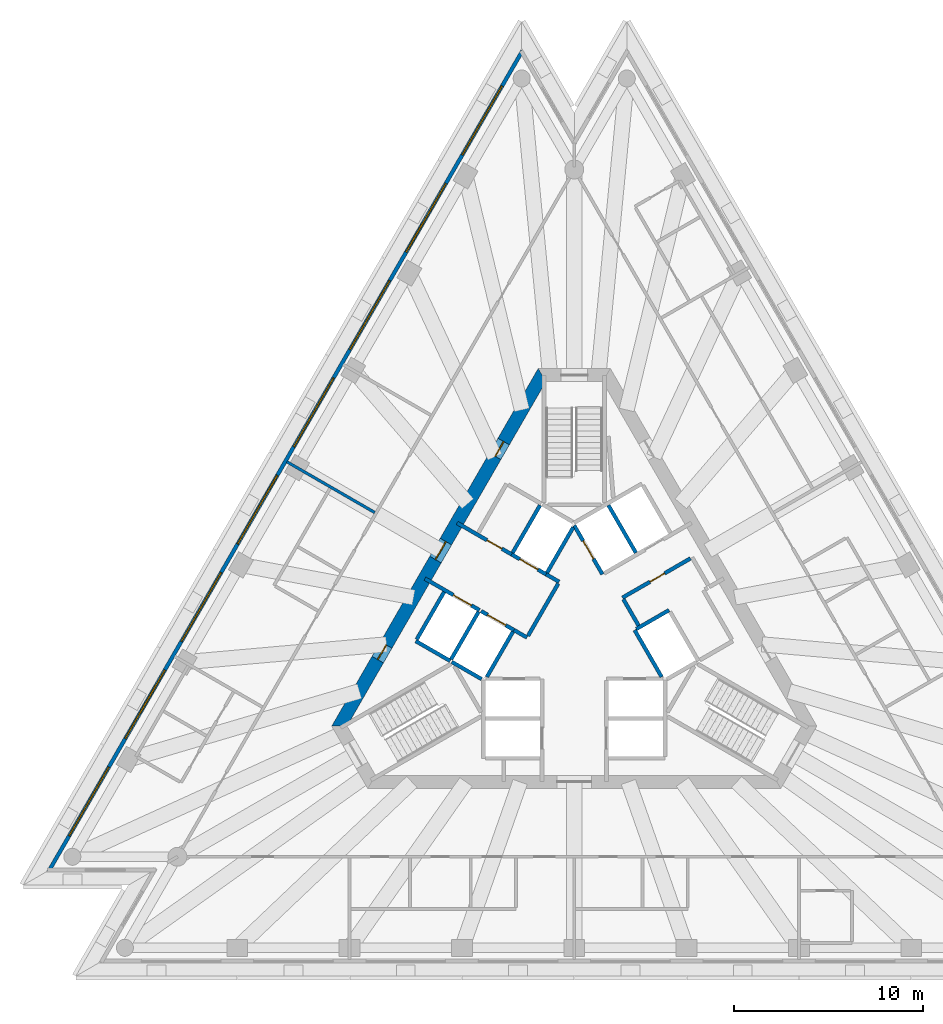
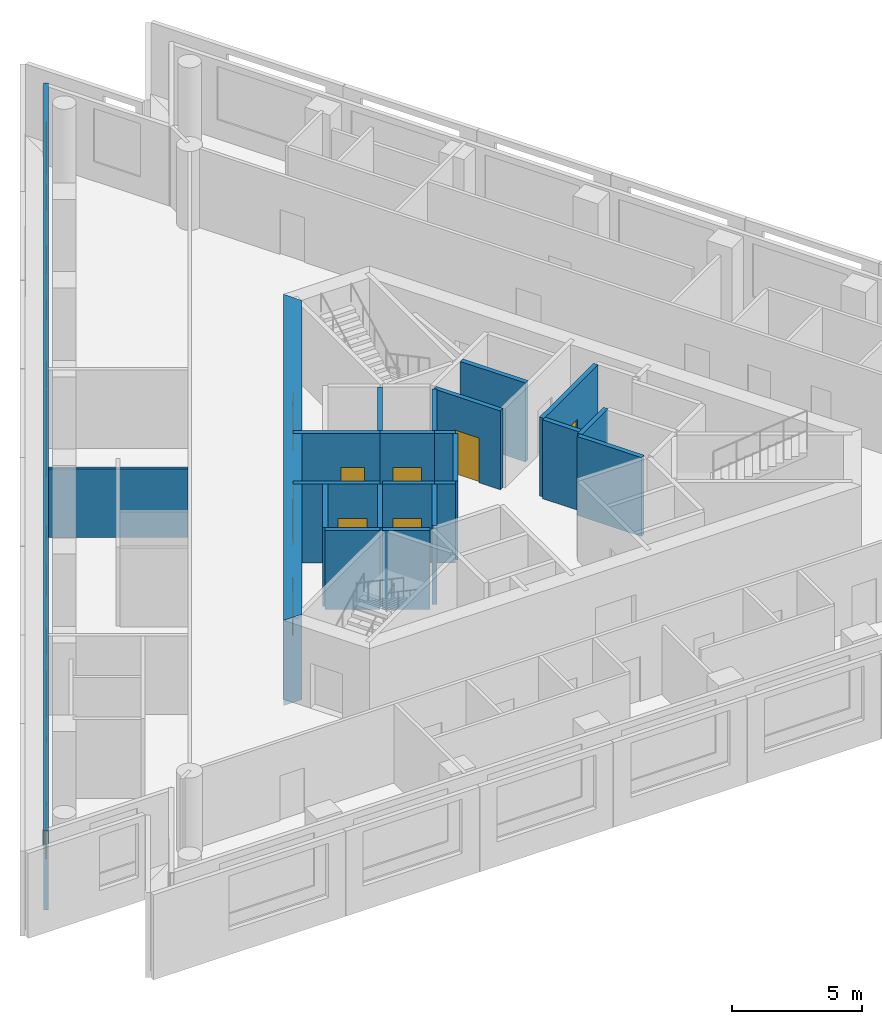
# One storey, part 4 of 9: 23 walls, 9 doors, 8 windows, 17 openings.
"""IFC4 building model written with IfcOpenShell, lengths in metres."""

from ifc_helpers import new_model, si_unit, direction, frame, frame_2d, origin, place, context, subcontext, project, spatial, polyline, rectangle, outline, extrude, material, layer, layer_set, layer_usage, type_object, element, fill, save


model = new_model("IFC4")

# Units and contexts
model_context = context("Model", 3, precision=1e-05, world=origin(), true_north=direction((0.0, 1.0)))
body_context = subcontext(model_context, "Body", "Model", "MODEL_VIEW")
ifc_project = project(units=[si_unit("LENGTHUNIT", "METRE"), si_unit("AREAUNIT", "SQUARE_METRE"), si_unit("VOLUMEUNIT", "CUBIC_METRE"), si_unit("PLANEANGLEUNIT", "RADIAN"), si_unit("MASSUNIT", "GRAM", prefix="KILO")], contexts=[model_context])

# Site, building, storey
site_placement = place(None, origin())
site = spatial("IfcSite", under=ifc_project, at=site_placement, CompositionType="ELEMENT")
building_placement = place(site_placement, origin())
building = spatial("IfcBuilding", under=site, at=building_placement, Name="Triada Interchange Tower", CompositionType="ELEMENT")
storey_placement = place(building_placement, frame((0.0, 0.0, 227.300048828125)))
storey = spatial("IfcBuildingStorey", under=building, at=storey_placement, Name="L53", CompositionType="ELEMENT", Elevation=227.300048828125)

# Walls
ifc_material_1 = material(Name="Concrete C30/37", Category="concrete")
ifc_layer_1 = layer(ifc_material_1, 0.199951171875)
ifc_layer_set_1 = layer_set([ifc_layer_1], Name="CORE WALL 200 EI 120")
wall_type_1 = type_object("IfcWallType", Name="CORE WALL 200 EI 120", PredefinedType="SOLIDWALL", material=ifc_layer_set_1)
wall_1_placement = place(storey_placement, frame((-8.3759765625, -0.70703125, 0.0), z_axis=(0.0, 0.0, 1.0), x_axis=(0.866067520717, -0.499927044236, 0.0)))
element("IfcWall", 1, at=wall_1_placement, inside=storey, type_object=wall_type_1, Name="Wall L53 42", PredefinedType="SOLIDWALL", context=body_context, shape_type="SweptSolid", body=[
    extrude(rectangle(XDim=2.100341796875, YDim=0.199951171875, at=frame_2d((1.05029296875, 0.0))), origin(), (0.0, 0.0, 1.0), 3.699951171875),
])
wall_2_placement = place(storey_placement, frame((-8.325927734375, -0.6201171875, 0.0), z_axis=(0.0, 0.0, 1.0), x_axis=(0.500023687443, 0.866011727401, 0.0)))
element("IfcWall", 2, at=wall_2_placement, inside=storey, type_object=wall_type_1, Name="Wall L53 43", PredefinedType="SOLIDWALL", context=body_context, shape_type="SweptSolid", body=[
    extrude(rectangle(XDim=2.899658203125, YDim=0.199951171875, at=frame_2d((1.44970703125, 0.0))), origin(), (0.0, 0.0, 1.0), 3.699951171875),
])

# Wall, opening, door
wall_3_placement = place(storey_placement, frame((0.0, 5.39990234375, 0.0), z_axis=(0.0, 0.0, 1.0), x_axis=(0.500103862429, -0.865965430478, 0.0)))
wall_3 = element("IfcWall", 3, at=wall_3_placement, inside=storey, type_object=wall_type_1, Name="Wall L53 53", PredefinedType="SOLIDWALL", context=body_context, shape_type="SweptSolid", body=[
    extrude(rectangle(XDim=2.973388671875, YDim=0.199951171875, at=frame_2d((1.48681640625, 0.0))), origin(), (0.0, 0.0, 1.0), 3.699951171875),
])
opening_1_placement = place(wall_3_placement, frame((0.93701171875, 0.0, 0.0)))
opening_1 = element("IfcOpeningElement", 4, at=opening_1_placement, cuts=wall_3, Name="Opening LD-HR5", PredefinedType="OPENING", context=body_context, shape_type="SweptSolid", body=[
    extrude(rectangle(XDim=1.10009765625, YDim=2.10009765625, at=frame_2d((0.550048828125, 1.050048828125))), frame((0.0, 0.10986328125, 0.0), z_axis=(0.0, -1.0, 0.0), x_axis=(1.0, 0.0, 0.0)), (0.0, 0.0, 1.0), 0.219970703125),
])
ifc_material_2 = material(Name="Steel S235 door leaf", Category="steel")
door_type_1 = type_object("IfcDoorType", Name="LIFT LANDING DOOR 1100 EI 120", OperationType="SLIDING_TO_LEFT", PredefinedType="DOOR", material=ifc_material_2)
door_1_placement = place(opening_1_placement, origin())
door_1 = element("IfcDoor", 5, at=door_1_placement, inside=storey, type_object=door_type_1, Name="HR5 landing door L53", OperationType="SLIDING_TO_LEFT", OverallHeight=2.10009765625, OverallWidth=1.10009765625, PredefinedType="DOOR", context=body_context, shape_type="SweptSolid", body=[
    extrude(rectangle(XDim=1.10009765625, YDim=2.10009765625, at=frame_2d((0.550048828125, 1.050048828125))), frame((0.0, 0.02490234375, 0.0), z_axis=(0.0, -1.0, 0.0), x_axis=(1.0, 0.0, 0.0)), (0.0, 0.0, 1.0), 0.050048828125),
])
fill(opening_1, door_1)

# Walls
wall_4_placement = place(storey_placement, frame((3.18994140625, -0.125, 0.0), z_axis=(0.0, 0.0, 1.0), x_axis=(0.499988658015, -0.866031951983, 0.0)))
element("IfcWall", 6, at=wall_4_placement, inside=storey, type_object=wall_type_1, Name="Wall L53 54", PredefinedType="SOLIDWALL", context=body_context, shape_type="SweptSolid", body=[
    extrude(rectangle(XDim=2.85791015625, YDim=0.199951171875, at=frame_2d((1.428955078125, 0.0))), origin(), (0.0, 0.0, 1.0), 3.699951171875),
])
wall_5_placement = place(storey_placement, frame((3.278076171875, -0.071044921875, 0.0), z_axis=(0.0, 0.0, 1.0), x_axis=(0.865855657918, 0.500293893279, 0.0)))
element("IfcWall", 7, at=wall_5_placement, inside=storey, type_object=wall_type_1, Name="Wall L53 58", PredefinedType="SOLIDWALL", context=body_context, shape_type="SweptSolid", body=[
    extrude(rectangle(XDim=1.996826171875, YDim=0.199951171875, at=frame_2d((0.99853515625, 0.0))), origin(), (0.0, 0.0, 1.0), 3.699951171875),
])
wall_6_placement = place(storey_placement, frame((1.806884765625, 6.469970703125, 0.0), z_axis=(0.0, 0.0, 1.0), x_axis=(0.50012328804, -0.865954211699, 0.0)))
element("IfcWall", 8, at=wall_6_placement, inside=storey, type_object=wall_type_1, Name="Wall L53 61", PredefinedType="SOLIDWALL", context=body_context, shape_type="SweptSolid", body=[
    extrude(rectangle(XDim=2.899658203125, YDim=0.199951171875, at=frame_2d((1.44970703125, 0.0))), origin(), (0.0, 0.0, 1.0), 3.699951171875),
])

# Wall, opening, door
wall_7_placement = place(storey_placement, frame((2.548095703125, 1.5869140625, 0.0), z_axis=(0.0, 0.0, 1.0), x_axis=(0.866004344652, 0.500036473714, 0.0)))
wall_7 = element("IfcWall", 9, at=wall_7_placement, inside=storey, type_object=wall_type_1, Name="Wall L53 65", PredefinedType="SOLIDWALL", context=body_context, shape_type="SweptSolid", body=[
    extrude(rectangle(XDim=4.150146484375, YDim=0.199951171875, at=frame_2d((2.0751953125, 0.0))), origin(), (0.0, 0.0, 1.0), 3.699951171875),
])
opening_2_placement = place(wall_7_placement, frame((1.675048828125, 0.0, 0.0)))
opening_2 = element("IfcOpeningElement", 10, at=opening_2_placement, cuts=wall_7, Name="Opening D53-48", PredefinedType="OPENING", context=body_context, shape_type="SweptSolid", body=[
    extrude(rectangle(XDim=0.89990234375, YDim=2.10009765625, at=frame_2d((0.449951171875, 1.050048828125))), frame((0.0, 0.10986328125, 0.0), z_axis=(0.0, -1.0, 0.0), x_axis=(1.0, 0.0, 0.0)), (0.0, 0.0, 1.0), 0.219970703125),
])
door_type_2 = type_object("IfcDoorType", Name="SERVICE DOOR 900 EI2 45-C5S200", OperationType="NOTDEFINED", PredefinedType="DOOR", material=ifc_material_2)
door_2_placement = place(opening_2_placement, origin())
door_2 = element("IfcDoor", 11, at=door_2_placement, inside=storey, type_object=door_type_2, Name="Door D53-48 L53", OperationType="SINGLE_SWING_RIGHT", OverallHeight=2.10009765625, OverallWidth=0.89990234375, PredefinedType="DOOR", context=body_context, shape_type="SweptSolid", body=[
    extrude(rectangle(XDim=0.89990234375, YDim=2.10009765625, at=frame_2d((0.449951171875, 1.050048828125))), frame((0.0, 0.02490234375, 0.0), z_axis=(0.0, -1.0, 0.0), x_axis=(1.0, 0.0, 0.0)), (0.0, 0.0, 1.0), 0.050048828125),
])
fill(opening_2, door_2)

# Wall
wall_8_placement = place(storey_placement, frame((2.597900390625, 1.5, 0.0), z_axis=(0.0, 0.0, 1.0), x_axis=(0.499929347863, -0.866066190972, 0.0)))
element("IfcWall", 12, at=wall_8_placement, inside=storey, type_object=wall_type_1, Name="Wall L53 66", PredefinedType="SOLIDWALL", context=body_context, shape_type="SweptSolid", body=[
    extrude(rectangle(XDim=1.600341796875, YDim=0.199951171875, at=frame_2d((0.80029296875, 0.0))), origin(), (0.0, 0.0, 1.0), 3.699951171875),
])

# Wall, opening, door
ifc_layer_2 = layer(ifc_material_1, 0.199951171875)
ifc_layer_set_2 = layer_set([ifc_layer_2], Name="CORE WALL 200 EI 180")
wall_type_2 = type_object("IfcWallType", Name="CORE WALL 200 EI 180", PredefinedType="SOLIDWALL", material=ifc_layer_set_2)
wall_9_placement = place(storey_placement, frame((-7.89111328125, 2.593017578125, 0.0), z_axis=(0.0, 0.0, 1.0), x_axis=(0.866070917804, -0.499921159118, 0.0)))
wall_9 = element("IfcWall", 13, at=wall_9_placement, inside=storey, type_object=wall_type_2, Name="Wall L53 67", PredefinedType="SOLIDWALL", context=body_context, shape_type="SweptSolid", body=[
    extrude(rectangle(XDim=3.33251953125, YDim=0.199951171875, at=frame_2d((1.666259765625, 0.0))), origin(), (0.0, 0.0, 1.0), 3.699951171875),
])
opening_3_placement = place(wall_9_placement, frame((1.72998046875, 0.0, 0.0)))
opening_3 = element("IfcOpeningElement", 14, at=opening_3_placement, cuts=wall_9, Name="Opening LD-SV1", PredefinedType="OPENING", context=body_context, shape_type="SweptSolid", body=[
    extrude(rectangle(XDim=1.10009765625, YDim=2.10009765625, at=frame_2d((0.550048828125, 1.050048828125))), frame((0.0, 0.10986328125, 0.0), z_axis=(0.0, -1.0, 0.0), x_axis=(1.0, 0.0, 0.0)), (0.0, 0.0, 1.0), 0.219970703125),
])
door_3_placement = place(opening_3_placement, origin())
door_3 = element("IfcDoor", 15, at=door_3_placement, inside=storey, type_object=door_type_1, Name="SV1 landing door L53", OperationType="SLIDING_TO_LEFT", OverallHeight=2.10009765625, OverallWidth=1.10009765625, PredefinedType="DOOR", context=body_context, shape_type="SweptSolid", body=[
    extrude(rectangle(XDim=1.10009765625, YDim=2.10009765625, at=frame_2d((0.550048828125, 1.050048828125))), frame((0.0, 0.02490234375, 0.0), z_axis=(0.0, -1.0, 0.0), x_axis=(1.0, 0.0, 0.0)), (0.0, 0.0, 1.0), 0.050048828125),
])
fill(opening_3, door_3)

# Wall
wall_10_placement = place(storey_placement, frame((-3.18798828125, -0.1220703125, 0.0), z_axis=(0.0, 0.0, 1.0), x_axis=(0.865705793592, -0.50055317294, 0.0)))
element("IfcWall", 16, at=wall_10_placement, inside=storey, type_object=wall_type_2, Name="Wall L53 68", PredefinedType="SOLIDWALL", context=body_context, shape_type="SweptSolid", body=[
    extrude(rectangle(XDim=0.796875, YDim=0.199951171875, at=frame_2d((0.3984375, 0.0))), origin(), (0.0, 0.0, 1.0), 3.699951171875),
])

# Wall, opening, door
wall_11_placement = place(storey_placement, frame((-6.19091796875, 5.537109375, 0.0), z_axis=(0.0, 0.0, 1.0), x_axis=(0.866052607023, -0.499952879648, 0.0)))
wall_11 = element("IfcWall", 17, at=wall_11_placement, inside=storey, type_object=wall_type_2, Name="Wall L53 69", PredefinedType="SOLIDWALL", context=body_context, shape_type="SweptSolid", body=[
    extrude(rectangle(XDim=3.332275390625, YDim=0.199951171875, at=frame_2d((1.666015625, 0.0))), origin(), (0.0, 0.0, 1.0), 3.699951171875),
])
opening_4_placement = place(wall_11_placement, frame((1.830078125, 0.0, 0.0)))
opening_4 = element("IfcOpeningElement", 18, at=opening_4_placement, cuts=wall_11, Name="Opening D53-10", PredefinedType="OPENING", context=body_context, shape_type="SweptSolid", body=[
    extrude(rectangle(XDim=0.89990234375, YDim=2.10009765625, at=frame_2d((0.449951171875, 1.050048828125))), frame((0.0, 0.10986328125, 0.0), z_axis=(0.0, -1.0, 0.0), x_axis=(1.0, 0.0, 0.0)), (0.0, 0.0, 1.0), 0.219970703125),
])
door_type_3 = type_object("IfcDoorType", Name="SERVICE DOOR 900 EI2 90-C5S200", OperationType="NOTDEFINED", PredefinedType="DOOR", material=ifc_material_2)
door_4_placement = place(opening_4_placement, origin())
door_4 = element("IfcDoor", 19, at=door_4_placement, inside=storey, type_object=door_type_3, Name="Door D53-10 L53", OperationType="SINGLE_SWING_LEFT", OverallHeight=2.10009765625, OverallWidth=0.89990234375, PredefinedType="DOOR", context=body_context, shape_type="SweptSolid", body=[
    extrude(rectangle(XDim=0.89990234375, YDim=2.10009765625, at=frame_2d((0.449951171875, 1.050048828125))), frame((0.0, 0.02490234375, 0.0), z_axis=(0.0, -1.0, 0.0), x_axis=(1.0, 0.0, 0.0)), (0.0, 0.0, 1.0), 0.050048828125),
])
fill(opening_4, door_4)

# Walls
wall_12_placement = place(storey_placement, frame((-1.488037109375, 2.822021484375, 0.0), z_axis=(0.0, 0.0, 1.0), x_axis=(0.866236612152, -0.499633997809, 0.0)))
element("IfcWall", 20, at=wall_12_placement, inside=storey, type_object=wall_type_2, Name="Wall L53 70", PredefinedType="SOLIDWALL", context=body_context, shape_type="SweptSolid", body=[
    extrude(rectangle(XDim=0.79638671875, YDim=0.199951171875, at=frame_2d((0.398193359375, 0.0))), origin(), (0.0, 0.0, 1.0), 3.699951171875),
])
wall_13_placement = place(storey_placement, frame((-2.444091796875, -0.43310546875, 0.0), z_axis=(0.0, 0.0, 1.0), x_axis=(0.500035624827, 0.866004834804, 0.0)))
element("IfcWall", 21, at=wall_13_placement, inside=storey, type_object=wall_type_2, Name="Wall L53 73", PredefinedType="SOLIDWALL", context=body_context, shape_type="SweptSolid", body=[
    extrude(rectangle(XDim=3.194091796875, YDim=0.199951171875, at=frame_2d((1.59716796875, 0.0))), origin(), (0.0, 0.0, 1.0), 3.699951171875),
])
wall_14_placement = place(storey_placement, frame((-6.507080078125, -1.669921875, 0.0), z_axis=(0.0, 0.0, 1.0), x_axis=(0.50012328804, 0.865954211699, 0.0)))
element("IfcWall", 22, at=wall_14_placement, inside=storey, type_object=wall_type_2, Name="Shaft wall FF1 L53 74", PredefinedType="SOLIDWALL", context=body_context, shape_type="SweptSolid", body=[
    extrude(rectangle(XDim=2.899658203125, YDim=0.199951171875, at=frame_2d((1.44970703125, 0.0))), origin(), (0.0, 0.0, 1.0), 3.699951171875),
])
wall_15_placement = place(storey_placement, frame((-6.469970703125, -1.806884765625, 0.0), z_axis=(0.0, 0.0, 1.0), x_axis=(0.865883195159, -0.500246231712, 0.0)))
element("IfcWall", 23, at=wall_15_placement, inside=storey, type_object=wall_type_2, Name="Shaft wall FF1 L53 75", PredefinedType="SOLIDWALL", context=body_context, shape_type="SweptSolid", body=[
    extrude(rectangle(XDim=1.8154296875, YDim=0.199951171875, at=frame_2d((0.90771484375, 0.0))), origin(), (0.0, 0.0, 1.0), 3.699951171875),
])

# Wall, opening, door
wall_16_placement = place(storey_placement, frame((-4.922119140625, 0.87890625, 0.0), z_axis=(0.0, 0.0, 1.0), x_axis=(0.866073918653, -0.499915960366, 0.0)))
wall_16 = element("IfcWall", 24, at=wall_16_placement, inside=storey, type_object=wall_type_2, Name="Shaft wall FF1 L53 76", PredefinedType="SOLIDWALL", context=body_context, shape_type="SweptSolid", body=[
    extrude(rectangle(XDim=2.002197265625, YDim=0.199951171875, at=frame_2d((1.0009765625, 0.0))), origin(), (0.0, 0.0, 1.0), 3.699951171875),
])
opening_5_placement = place(wall_16_placement, frame((0.402099609375, 0.0, 0.0)))
opening_5 = element("IfcOpeningElement", 25, at=opening_5_placement, cuts=wall_16, Name="Opening LD-FF1", PredefinedType="OPENING", context=body_context, shape_type="SweptSolid", body=[
    extrude(rectangle(XDim=1.10009765625, YDim=2.10009765625, at=frame_2d((0.550048828125, 1.050048828125))), frame((0.0, 0.10986328125, 0.0), z_axis=(0.0, -1.0, 0.0), x_axis=(1.0, 0.0, 0.0)), (0.0, 0.0, 1.0), 0.219970703125),
])
door_5_placement = place(opening_5_placement, origin())
door_5 = element("IfcDoor", 26, at=door_5_placement, inside=storey, type_object=door_type_1, Name="FF1 landing door L53", OperationType="SLIDING_TO_LEFT", OverallHeight=2.10009765625, OverallWidth=1.10009765625, PredefinedType="DOOR", context=body_context, shape_type="SweptSolid", body=[
    extrude(rectangle(XDim=1.10009765625, YDim=2.10009765625, at=frame_2d((0.550048828125, 1.050048828125))), frame((0.0, 0.02490234375, 0.0), z_axis=(0.0, -1.0, 0.0), x_axis=(1.0, 0.0, 0.0)), (0.0, 0.0, 1.0), 0.050048828125),
])
fill(opening_5, door_5)

# Wall
wall_17_placement = place(storey_placement, frame((-4.618896484375, -2.60009765625, 0.0), z_axis=(0.0, 0.0, 1.0), x_axis=(0.50009492287, 0.865970593103, 0.0)))
element("IfcWall", 27, at=wall_17_placement, inside=storey, type_object=wall_type_2, Name="Shaft wall FF1 L53 77", PredefinedType="SOLIDWALL", context=body_context, shape_type="SweptSolid", body=[
    extrude(rectangle(XDim=2.76123046875, YDim=0.199951171875, at=frame_2d((1.380615234375, 0.0))), origin(), (0.0, 0.0, 1.0), 3.699951171875),
])

# Wall, opening, door
wall_18_placement = place(storey_placement, frame((-3.30908203125, 3.873046875, 0.0), z_axis=(0.0, 0.0, 1.0), x_axis=(0.866098583652, -0.499873227325, 0.0)))
wall_18 = element("IfcWall", 28, at=wall_18_placement, inside=storey, type_object=wall_type_2, Name="Shaft wall FF2 L53 78", PredefinedType="SOLIDWALL", context=body_context, shape_type="SweptSolid", body=[
    extrude(rectangle(XDim=2.1025390625, YDim=0.199951171875, at=frame_2d((1.05126953125, 0.0))), origin(), (0.0, 0.0, 1.0), 3.699951171875),
])
opening_6_placement = place(wall_18_placement, frame((0.501953125, 0.0, 0.0)))
opening_6 = element("IfcOpeningElement", 29, at=opening_6_placement, cuts=wall_18, Name="Opening LD-FF2", PredefinedType="OPENING", context=body_context, shape_type="SweptSolid", body=[
    extrude(rectangle(XDim=1.10009765625, YDim=2.10009765625, at=frame_2d((0.550048828125, 1.050048828125))), frame((0.0, 0.10986328125, 0.0), z_axis=(0.0, -1.0, 0.0), x_axis=(1.0, 0.0, 0.0)), (0.0, 0.0, 1.0), 0.219970703125),
])
door_6_placement = place(opening_6_placement, origin())
door_6 = element("IfcDoor", 30, at=door_6_placement, inside=storey, type_object=door_type_1, Name="FF2 landing door L53", OperationType="SLIDING_TO_LEFT", OverallHeight=2.10009765625, OverallWidth=1.10009765625, PredefinedType="DOOR", context=body_context, shape_type="SweptSolid", body=[
    extrude(rectangle(XDim=1.10009765625, YDim=2.10009765625, at=frame_2d((0.550048828125, 1.050048828125))), frame((0.0, 0.02490234375, 0.0), z_axis=(0.0, -1.0, 0.0), x_axis=(1.0, 0.0, 0.0)), (0.0, 0.0, 1.0), 0.050048828125),
])
fill(opening_6, door_6)

# Walls
wall_19_placement = place(storey_placement, frame((-3.257080078125, 3.958984375, 0.0), z_axis=(0.0, 0.0, 1.0), x_axis=(0.50012328804, 0.865954211699, 0.0)))
element("IfcWall", 31, at=wall_19_placement, inside=storey, type_object=wall_type_2, Name="Shaft wall FF2 L53 79", PredefinedType="SOLIDWALL", context=body_context, shape_type="SweptSolid", body=[
    extrude(rectangle(XDim=2.899658203125, YDim=0.199951171875, at=frame_2d((1.44970703125, 0.0))), origin(), (0.0, 0.0, 1.0), 3.699951171875),
])
wall_20_placement = place(storey_placement, frame((-1.43798828125, 2.908935546875, 0.0), z_axis=(0.0, 0.0, 1.0), x_axis=(0.499829630636, 0.866123744241, 0.0)))
element("IfcWall", 32, at=wall_20_placement, inside=storey, type_object=wall_type_2, Name="Shaft wall FF2 L53 81", PredefinedType="SOLIDWALL", context=body_context, shape_type="SweptSolid", body=[
    extrude(rectangle(XDim=2.7607421875, YDim=0.199951171875, at=frame_2d((1.38037109375, 0.0))), origin(), (0.0, 0.0, 1.0), 3.699951171875),
])

# Wall, openings, doors
ifc_material_3 = material(Name="Concrete C50/60", Category="concrete")
ifc_layer_3 = layer(ifc_material_3, 0.699951171875)
ifc_layer_set_3 = layer_set([ifc_layer_3], Name="Core wall C 700")
wall_type_3 = type_object("IfcWallType", Name="Core wall C 700", PredefinedType="SHEAR", material=ifc_layer_set_3)
wall_21_placement = place(storey_placement, frame((-1.702880859375, 13.35009765625, -0.300048828125), z_axis=(0.0, 0.0, 1.0), x_axis=(-0.500011533395, -0.866018744874, 0.0)))
wall_21 = element("IfcWall", 33, at=wall_21_placement, inside=storey, type_object=wall_type_3, Name="Core wall WC02 L53", PredefinedType="SHEAR", context=body_context, shape_type="SweptSolid", body=[
    extrude(outline(polyline([(-0.201904296875, -0.35009765625), (1.781982421875, -0.35009765625), (3.76611328125, -0.35009765625), (5.75, -0.35009765625), (7.734130859375, -0.35009765625), (9.718017578125, -0.35009765625), (11.7021484375, -0.35009765625), (13.68603515625, -0.35009765625), (15.670166015625, -0.35009765625), (17.654052734375, -0.35009765625), (19.63818359375, -0.35009765625), (21.6220703125, -0.35009765625), (21.218017578125, 0.35009765625), (19.307373046875, 0.35009765625), (17.39697265625, 0.35009765625), (15.486328125, 0.35009765625), (13.57568359375, 0.35009765625), (11.665283203125, 0.35009765625), (9.754638671875, 0.35009765625), (7.84423828125, 0.35009765625), (5.93359375, 0.35009765625), (4.02294921875, 0.35009765625), (2.112548828125, 0.35009765625), (0.201904296875, 0.35009765625), (-0.201904296875, -0.35009765625)])), origin(), (0.0, 0.0, 1.0), 4.0),
])
opening_7_placement = place(wall_21_placement, frame((10.159912109375, 0.0, 0.300048828125)))
opening_7 = element("IfcOpeningElement", 34, at=opening_7_placement, cuts=wall_21, Name="Opening D53-43", PredefinedType="OPENING", context=body_context, shape_type="SweptSolid", body=[
    extrude(rectangle(XDim=1.10009765625, YDim=2.10009765625, at=frame_2d((0.550048828125, 1.050048828125))), frame((0.0, 0.360107421875, 0.0), z_axis=(0.0, -1.0, 0.0), x_axis=(1.0, 0.0, 0.0)), (0.0, 0.0, 1.0), 0.72021484375),
])
opening_8_placement = place(wall_21_placement, frame((16.465087890625, 0.0, 0.300048828125)))
opening_8 = element("IfcOpeningElement", 35, at=opening_8_placement, cuts=wall_21, Name="Opening D53-44", PredefinedType="OPENING", context=body_context, shape_type="SweptSolid", body=[
    extrude(rectangle(XDim=0.89990234375, YDim=2.10009765625, at=frame_2d((0.449951171875, 1.050048828125))), frame((0.0, 0.360107421875, 0.0), z_axis=(0.0, -1.0, 0.0), x_axis=(1.0, 0.0, 0.0)), (0.0, 0.0, 1.0), 0.72021484375),
])
opening_9_placement = place(wall_21_placement, frame((4.054931640625, 0.0, 0.300048828125)))
opening_9 = element("IfcOpeningElement", 36, at=opening_9_placement, cuts=wall_21, Name="Opening D53-46", PredefinedType="OPENING", context=body_context, shape_type="SweptSolid", body=[
    extrude(rectangle(XDim=0.89990234375, YDim=2.10009765625, at=frame_2d((0.449951171875, 1.050048828125))), frame((0.0, 0.360107421875, 0.0), z_axis=(0.0, -1.0, 0.0), x_axis=(1.0, 0.0, 0.0)), (0.0, 0.0, 1.0), 0.72021484375),
])
door_type_4 = type_object("IfcDoorType", Name="FIRE LOBBY DOOR 1100 EI2 90-C5S200", OperationType="NOTDEFINED", PredefinedType="DOOR", material=ifc_material_2)
door_7_placement = place(opening_7_placement, origin())
door_7 = element("IfcDoor", 37, at=door_7_placement, inside=storey, type_object=door_type_4, Name="Door D53-43 L53", OperationType="SINGLE_SWING_RIGHT", OverallHeight=2.10009765625, OverallWidth=1.10009765625, PredefinedType="DOOR", context=body_context, shape_type="SweptSolid", body=[
    extrude(rectangle(XDim=1.10009765625, YDim=2.10009765625, at=frame_2d((0.550048828125, 1.050048828125))), frame((0.0, 0.02490234375, 0.0), z_axis=(0.0, -1.0, 0.0), x_axis=(1.0, 0.0, 0.0)), (0.0, 0.0, 1.0), 0.050048828125),
])
fill(opening_7, door_7)
door_type_5 = type_object("IfcDoorType", Name="RISER ACCESS DOOR 900 EI2 45-C5S200", OperationType="NOTDEFINED", PredefinedType="DOOR", material=ifc_material_2)
door_8_placement = place(opening_8_placement, origin())
door_8 = element("IfcDoor", 38, at=door_8_placement, inside=storey, type_object=door_type_5, Name="Door D53-44 L53", OperationType="SINGLE_SWING_RIGHT", OverallHeight=2.10009765625, OverallWidth=0.89990234375, PredefinedType="DOOR", context=body_context, shape_type="SweptSolid", body=[
    extrude(rectangle(XDim=0.89990234375, YDim=2.10009765625, at=frame_2d((0.449951171875, 1.050048828125))), frame((0.0, 0.02490234375, 0.0), z_axis=(0.0, -1.0, 0.0), x_axis=(1.0, 0.0, 0.0)), (0.0, 0.0, 1.0), 0.050048828125),
])
fill(opening_8, door_8)
door_9_placement = place(opening_9_placement, origin())
door_9 = element("IfcDoor", 39, at=door_9_placement, inside=storey, type_object=door_type_2, Name="Door D53-46 L53", OperationType="SINGLE_SWING_RIGHT", OverallHeight=2.10009765625, OverallWidth=0.89990234375, PredefinedType="DOOR", context=body_context, shape_type="SweptSolid", body=[
    extrude(rectangle(XDim=0.89990234375, YDim=2.10009765625, at=frame_2d((0.449951171875, 1.050048828125))), frame((0.0, 0.02490234375, 0.0), z_axis=(0.0, -1.0, 0.0), x_axis=(1.0, 0.0, 0.0)), (0.0, 0.0, 1.0), 0.050048828125),
])
fill(opening_9, door_9)

# Wall, openings, windows
ifc_material_4 = material(Name="Cement board")
ifc_layer_4 = layer(ifc_material_4, 0.02001953125, Name="Cement board cladding")
ifc_material_5 = material(Name="Sheathing board")
ifc_layer_5 = layer(ifc_material_5, 0.014892578125, Name="Sheathing board")
ifc_material_6 = material(Name="Mineral wool")
ifc_layer_6 = layer(ifc_material_6, 0.14990234375, Name="Mineral wool between steel studs")
ifc_material_7 = material(Name="Gypsum board")
ifc_layer_7 = layer(ifc_material_7, 0.014892578125, Name="Plasterboard lining")
ifc_layer_set_4 = layer_set([ifc_layer_4, ifc_layer_5, ifc_layer_6, ifc_layer_7], Name="External wall 200")
ifc_layer_usage = layer_usage(ifc_layer_set_4, "AXIS2", "POSITIVE", -0.10009765625)
wall_type_4 = type_object("IfcWallType", Name="External wall 200", PredefinedType="ELEMENTEDWALL", material=ifc_layer_set_4)
wall_22_placement = place(storey_placement, frame((-2.73193359375, 30.5009765625, 0.0), z_axis=(0.0, 0.0, 1.0), x_axis=(-0.500023345841, -0.866011924637, 0.0)))
wall_22 = element("IfcWall", 40, at=wall_22_placement, inside=storey, type_object=wall_type_4, material=ifc_layer_usage, Name="External wall L53 NW", PredefinedType="ELEMENTEDWALL", context=body_context, shape_type="SweptSolid", body=[
    extrude(rectangle(XDim=50.07763671875, YDim=0.199951171875, at=frame_2d((25.038818359375, 0.0))), origin(), (0.0, 0.0, 1.0), 3.699951171875),
])
opening_10_placement = place(wall_22_placement, frame((2.1708984375, 0.0, 0.89990234375)))
opening_10 = element("IfcOpeningElement", 41, at=opening_10_placement, cuts=wall_22, Name="Opening WC01", PredefinedType="OPENING", context=body_context, shape_type="SweptSolid", body=[
    extrude(rectangle(XDim=4.199951171875, YDim=2.5, at=frame_2d((2.10009765625, 1.25))), frame((0.0, 0.10986328125, 0.0), z_axis=(0.0, -1.0, 0.0), x_axis=(1.0, 0.0, 0.0)), (0.0, 0.0, 1.0), 0.219970703125),
])
opening_11_placement = place(wall_22_placement, frame((8.10693359375, 0.0, 0.89990234375)))
opening_11 = element("IfcOpeningElement", 42, at=opening_11_placement, cuts=wall_22, Name="Opening WC02", PredefinedType="OPENING", context=body_context, shape_type="SweptSolid", body=[
    extrude(rectangle(XDim=4.199951171875, YDim=2.5, at=frame_2d((2.10009765625, 1.25))), frame((0.0, 0.10986328125, 0.0), z_axis=(0.0, -1.0, 0.0), x_axis=(1.0, 0.0, 0.0)), (0.0, 0.0, 1.0), 0.219970703125),
])
opening_12_placement = place(wall_22_placement, frame((14.0439453125, 0.0, 0.89990234375)))
opening_12 = element("IfcOpeningElement", 43, at=opening_12_placement, cuts=wall_22, Name="Opening WC03", PredefinedType="OPENING", context=body_context, shape_type="SweptSolid", body=[
    extrude(rectangle(XDim=4.199951171875, YDim=2.5, at=frame_2d((2.10009765625, 1.25))), frame((0.0, 0.10986328125, 0.0), z_axis=(0.0, -1.0, 0.0), x_axis=(1.0, 0.0, 0.0)), (0.0, 0.0, 1.0), 0.219970703125),
])
opening_13_placement = place(wall_22_placement, frame((19.97998046875, 0.0, 0.89990234375)))
opening_13 = element("IfcOpeningElement", 44, at=opening_13_placement, cuts=wall_22, Name="Opening WC04", PredefinedType="OPENING", context=body_context, shape_type="SweptSolid", body=[
    extrude(rectangle(XDim=4.199951171875, YDim=2.5, at=frame_2d((2.10009765625, 1.25))), frame((0.0, 0.10986328125, 0.0), z_axis=(0.0, -1.0, 0.0), x_axis=(1.0, 0.0, 0.0)), (0.0, 0.0, 1.0), 0.219970703125),
])
opening_14_placement = place(wall_22_placement, frame((25.9169921875, 0.0, 0.89990234375)))
opening_14 = element("IfcOpeningElement", 45, at=opening_14_placement, cuts=wall_22, Name="Opening WC05", PredefinedType="OPENING", context=body_context, shape_type="SweptSolid", body=[
    extrude(rectangle(XDim=4.199951171875, YDim=2.5, at=frame_2d((2.10009765625, 1.25))), frame((0.0, 0.10986328125, 0.0), z_axis=(0.0, -1.0, 0.0), x_axis=(1.0, 0.0, 0.0)), (0.0, 0.0, 1.0), 0.219970703125),
])
opening_15_placement = place(wall_22_placement, frame((31.85302734375, 0.0, 0.89990234375)))
opening_15 = element("IfcOpeningElement", 46, at=opening_15_placement, cuts=wall_22, Name="Opening WC06", PredefinedType="OPENING", context=body_context, shape_type="SweptSolid", body=[
    extrude(rectangle(XDim=4.199951171875, YDim=2.5, at=frame_2d((2.10009765625, 1.25))), frame((0.0, 0.10986328125, 0.0), z_axis=(0.0, -1.0, 0.0), x_axis=(1.0, 0.0, 0.0)), (0.0, 0.0, 1.0), 0.219970703125),
])
opening_16_placement = place(wall_22_placement, frame((37.7900390625, 0.0, 0.89990234375)))
opening_16 = element("IfcOpeningElement", 47, at=opening_16_placement, cuts=wall_22, Name="Opening WC07", PredefinedType="OPENING", context=body_context, shape_type="SweptSolid", body=[
    extrude(rectangle(XDim=4.199951171875, YDim=2.5, at=frame_2d((2.10009765625, 1.25))), frame((0.0, 0.10986328125, 0.0), z_axis=(0.0, -1.0, 0.0), x_axis=(1.0, 0.0, 0.0)), (0.0, 0.0, 1.0), 0.219970703125),
])
opening_17_placement = place(wall_22_placement, frame((43.72607421875, 0.0, 0.89990234375)))
opening_17 = element("IfcOpeningElement", 48, at=opening_17_placement, cuts=wall_22, Name="Opening WC08", PredefinedType="OPENING", context=body_context, shape_type="SweptSolid", body=[
    extrude(rectangle(XDim=4.199951171875, YDim=2.5, at=frame_2d((2.10009765625, 1.25))), frame((0.0, 0.10986328125, 0.0), z_axis=(0.0, -1.0, 0.0), x_axis=(1.0, 0.0, 0.0)), (0.0, 0.0, 1.0), 0.219970703125),
])
ifc_material_8 = material(Name="Double glazed aluminium window", Category="aluminium")
window_type = type_object("IfcWindowType", Name="Ribbon window C face", PartitioningType="SINGLE_PANEL", PredefinedType="WINDOW", material=ifc_material_8)
window_1_placement = place(opening_10_placement, origin())
window_1 = element("IfcWindow", 49, at=window_1_placement, inside=storey, type_object=window_type, Name="Window L53 NW 1", OverallHeight=2.5, OverallWidth=4.199951171875, PartitioningType="SINGLE_PANEL", PredefinedType="WINDOW", context=body_context, shape_type="SweptSolid", body=[
    extrude(rectangle(XDim=4.199951171875, YDim=2.5, at=frame_2d((2.10009765625, 1.25))), frame((0.0, 0.030029296875, 0.0), z_axis=(0.0, -1.0, 0.0), x_axis=(1.0, 0.0, 0.0)), (0.0, 0.0, 1.0), 0.06005859375),
])
fill(opening_10, window_1)
window_2_placement = place(opening_11_placement, origin())
window_2 = element("IfcWindow", 50, at=window_2_placement, inside=storey, type_object=window_type, Name="Window L53 NW 2", OverallHeight=2.5, OverallWidth=4.199951171875, PartitioningType="SINGLE_PANEL", PredefinedType="WINDOW", context=body_context, shape_type="SweptSolid", body=[
    extrude(rectangle(XDim=4.199951171875, YDim=2.5, at=frame_2d((2.10009765625, 1.25))), frame((0.0, 0.030029296875, 0.0), z_axis=(0.0, -1.0, 0.0), x_axis=(1.0, 0.0, 0.0)), (0.0, 0.0, 1.0), 0.06005859375),
])
fill(opening_11, window_2)
window_3_placement = place(opening_12_placement, origin())
window_3 = element("IfcWindow", 51, at=window_3_placement, inside=storey, type_object=window_type, Name="Window L53 NW 3", OverallHeight=2.5, OverallWidth=4.199951171875, PartitioningType="SINGLE_PANEL", PredefinedType="WINDOW", context=body_context, shape_type="SweptSolid", body=[
    extrude(rectangle(XDim=4.199951171875, YDim=2.5, at=frame_2d((2.10009765625, 1.25))), frame((0.0, 0.030029296875, 0.0), z_axis=(0.0, -1.0, 0.0), x_axis=(1.0, 0.0, 0.0)), (0.0, 0.0, 1.0), 0.06005859375),
])
fill(opening_12, window_3)
window_4_placement = place(opening_13_placement, origin())
window_4 = element("IfcWindow", 52, at=window_4_placement, inside=storey, type_object=window_type, Name="Window L53 NW 4", OverallHeight=2.5, OverallWidth=4.199951171875, PartitioningType="SINGLE_PANEL", PredefinedType="WINDOW", context=body_context, shape_type="SweptSolid", body=[
    extrude(rectangle(XDim=4.199951171875, YDim=2.5, at=frame_2d((2.10009765625, 1.25))), frame((0.0, 0.030029296875, 0.0), z_axis=(0.0, -1.0, 0.0), x_axis=(1.0, 0.0, 0.0)), (0.0, 0.0, 1.0), 0.06005859375),
])
fill(opening_13, window_4)
window_5_placement = place(opening_14_placement, origin())
window_5 = element("IfcWindow", 53, at=window_5_placement, inside=storey, type_object=window_type, Name="Window L53 NW 5", OverallHeight=2.5, OverallWidth=4.199951171875, PartitioningType="SINGLE_PANEL", PredefinedType="WINDOW", context=body_context, shape_type="SweptSolid", body=[
    extrude(rectangle(XDim=4.199951171875, YDim=2.5, at=frame_2d((2.10009765625, 1.25))), frame((0.0, 0.030029296875, 0.0), z_axis=(0.0, -1.0, 0.0), x_axis=(1.0, 0.0, 0.0)), (0.0, 0.0, 1.0), 0.06005859375),
])
fill(opening_14, window_5)
window_6_placement = place(opening_15_placement, origin())
window_6 = element("IfcWindow", 54, at=window_6_placement, inside=storey, type_object=window_type, Name="Window L53 NW 6", OverallHeight=2.5, OverallWidth=4.199951171875, PartitioningType="SINGLE_PANEL", PredefinedType="WINDOW", context=body_context, shape_type="SweptSolid", body=[
    extrude(rectangle(XDim=4.199951171875, YDim=2.5, at=frame_2d((2.10009765625, 1.25))), frame((0.0, 0.030029296875, 0.0), z_axis=(0.0, -1.0, 0.0), x_axis=(1.0, 0.0, 0.0)), (0.0, 0.0, 1.0), 0.06005859375),
])
fill(opening_15, window_6)
window_7_placement = place(opening_16_placement, origin())
window_7 = element("IfcWindow", 55, at=window_7_placement, inside=storey, type_object=window_type, Name="Window L53 NW 7", OverallHeight=2.5, OverallWidth=4.199951171875, PartitioningType="SINGLE_PANEL", PredefinedType="WINDOW", context=body_context, shape_type="SweptSolid", body=[
    extrude(rectangle(XDim=4.199951171875, YDim=2.5, at=frame_2d((2.10009765625, 1.25))), frame((0.0, 0.030029296875, 0.0), z_axis=(0.0, -1.0, 0.0), x_axis=(1.0, 0.0, 0.0)), (0.0, 0.0, 1.0), 0.06005859375),
])
fill(opening_16, window_7)
window_8_placement = place(opening_17_placement, origin())
window_8 = element("IfcWindow", 56, at=window_8_placement, inside=storey, type_object=window_type, Name="Window L53 NW 8", OverallHeight=2.5, OverallWidth=4.199951171875, PartitioningType="SINGLE_PANEL", PredefinedType="WINDOW", context=body_context, shape_type="SweptSolid", body=[
    extrude(rectangle(XDim=4.199951171875, YDim=2.5, at=frame_2d((2.10009765625, 1.25))), frame((0.0, 0.030029296875, 0.0), z_axis=(0.0, -1.0, 0.0), x_axis=(1.0, 0.0, 0.0)), (0.0, 0.0, 1.0), 0.06005859375),
])
fill(opening_17, window_8)

# Wall
ifc_material_9 = material(Name="Gypsum board partition")
ifc_layer_8 = layer(ifc_material_9, 0.14990234375)
ifc_layer_set_5 = layer_set([ifc_layer_8], Name="PARTITION 150 EI 180")
wall_type_5 = type_object("IfcWallType", Name="PARTITION 150 EI 180", PredefinedType="PARTITIONING", material=ifc_layer_set_5)
wall_23_placement = place(storey_placement, frame((-15.18798828125, 8.76806640625, 0.0), z_axis=(0.0, 0.0, 1.0), x_axis=(0.866032438121, -0.499987815973, 0.0)))
element("IfcWall", 57, at=wall_23_placement, inside=storey, type_object=wall_type_5, Name="Wall L53 6", PredefinedType="PARTITIONING", context=body_context, shape_type="SweptSolid", body=[
    extrude(rectangle(XDim=5.362548828125, YDim=0.14990234375, at=frame_2d((2.68115234375, 0.0))), origin(), (0.0, 0.0, 1.0), 3.199951171875),
])

save(model, "model.ifc")
